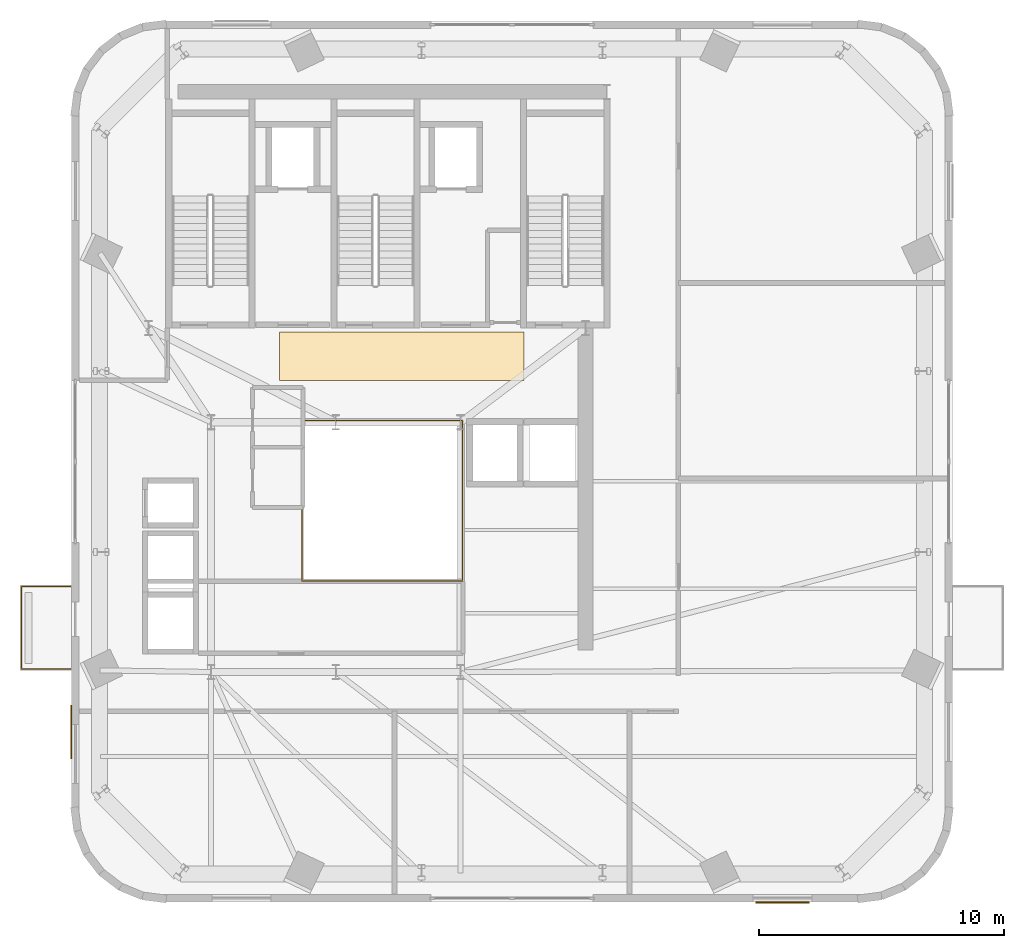
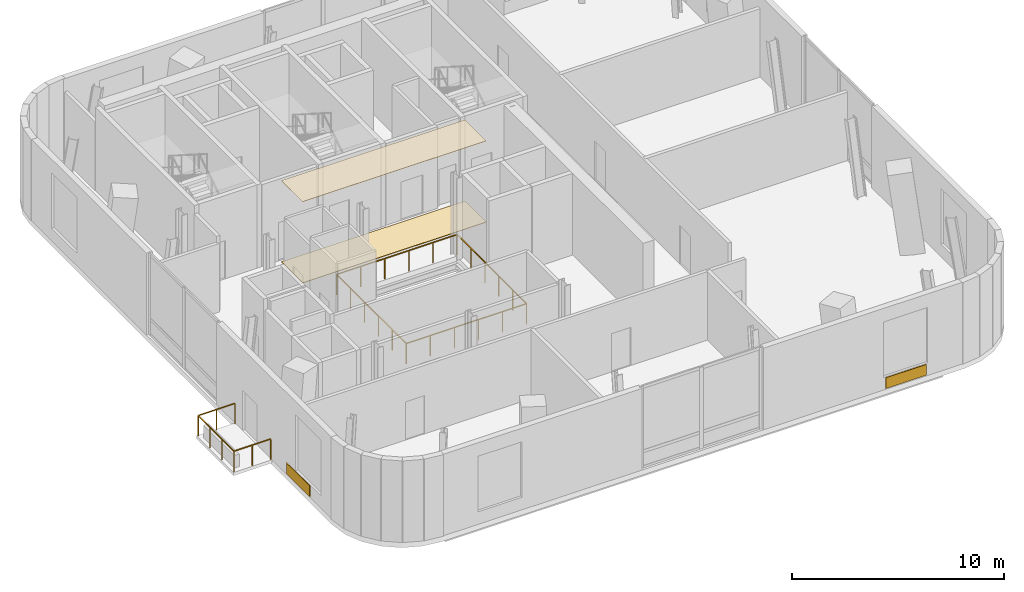
# One storey, part 9 of 11: 4 coverings, 2 railings.
"""IFC4 building model written with IfcOpenShell, lengths in metres."""

from ifc_helpers import new_model, si_unit, direction, frame, origin, origin_2d, place, context, subcontext, project, spatial, polyline, rectangle, outline, extrude, source, transform, mapped, material, layer, layer_set, type_object, element, save


model = new_model("IFC4")

# Units and contexts
model_context = context("Model", 3, precision=1e-05, world=origin(), true_north=direction((0.0, 1.0)))
body_context = subcontext(model_context, "Body", "Model", "MODEL_VIEW")
ifc_project = project(units=[si_unit("LENGTHUNIT", "METRE"), si_unit("AREAUNIT", "SQUARE_METRE"), si_unit("VOLUMEUNIT", "CUBIC_METRE"), si_unit("PLANEANGLEUNIT", "RADIAN"), si_unit("MASSUNIT", "GRAM", prefix="KILO")], contexts=[model_context])

# Site, building, storey
site_placement = place(None, origin())
site = spatial("IfcSite", under=ifc_project, at=site_placement, CompositionType="ELEMENT")
building_placement = place(site_placement, origin())
building = spatial("IfcBuilding", under=site, at=building_placement, Name="Vardaveli Station Tower", CompositionType="ELEMENT")
storey_placement = place(building_placement, frame((0.0, 0.0, 296.14990234375)))
storey = spatial("IfcBuildingStorey", under=building, at=storey_placement, Name="L75", CompositionType="ELEMENT", Elevation=296.14990234375)

# Coverings
ifc_material_1 = material(Name="Perforated acoustic mineral ceiling")
ifc_layer_1 = layer(ifc_material_1, 0.02001953125, Name="Perforated acoustic mineral ceiling")
ifc_layer_set_1 = layer_set([ifc_layer_1], Name="Perforated acoustic mineral ceiling")
covering_type_1 = type_object("IfcCoveringType", Name="COV-CEIL-AC20", PredefinedType="CEILING", material=ifc_layer_set_1)
covering_1_placement = place(storey_placement, frame((0.0, 0.0, 4.68505859375)))
element("IfcCovering", 1, at=covering_1_placement, inside=storey, type_object=covering_type_1, Name="CEIL-L75-1", PredefinedType="CEILING", context=body_context, shape_type="SweptSolid", body=[
    extrude(outline(polyline([(34.0, 28.5), (44.0, 28.5), (44.0, 30.5), (34.0, 30.5), (34.0, 28.5)])), origin(), (0.0, 0.0, 1.0), 0.02001953125),
])
ifc_material_2 = material(Name="Honed Caucasian basalt and travertine flooring", Category="masonry")
ifc_layer_2 = layer(ifc_material_2, 0.030029296875, Name="Honed Caucasian basalt and travertine flooring")
ifc_layer_set_2 = layer_set([ifc_layer_2], Name="Honed Caucasian basalt and travertine flooring")
covering_type_2 = type_object("IfcCoveringType", Name="COV-FLOOR-ST30", PredefinedType="FLOORING", material=ifc_layer_set_2)
covering_2_placement = place(storey_placement, origin())
element("IfcCovering", 2, at=covering_2_placement, inside=storey, type_object=covering_type_2, Name="FLR-L75-1", PredefinedType="FLOORING", context=body_context, shape_type="SweptSolid", body=[
    extrude(outline(polyline([(34.0, 28.5), (44.0, 28.5), (44.0, 30.5), (34.0, 30.5), (34.0, 28.5)])), origin(), (0.0, 0.0, 1.0), 0.030029296875),
])
ifc_material_3 = material(Name="Ventilated honed travertine stone cladding", Category="masonry")
ifc_layer_3 = layer(ifc_material_3, 0.044921875, Name="Ventilated honed travertine stone cladding")
ifc_layer_set_3 = layer_set([ifc_layer_3], Name="Ventilated honed travertine stone cladding")
covering_type_3 = type_object("IfcCoveringType", Name="COV-CLAD-TR45", PredefinedType="CLADDING", material=ifc_layer_set_3)
shared_shape_1 = source(origin(), body_context, "Body", "SweptSolid", [
    extrude(rectangle(XDim=2.199951171875, YDim=0.044921875, at=origin_2d()), origin(), (0.0, 0.0, 1.0), 0.6201171875),
])
for number, where, z_axis, x_axis, name in (
    (3, (54.551025390625, 7.185546875, 0.070068359375), (0.0, 0.0, 1.0), (1.0, 0.0, 0.0), "CLD-TR-L75-S"),
    (4, (25.485595703125, 14.14892578125, 0.070068359375), (0.0, 0.0, 1.0), (0.0, 1.0, 0.0), "CLD-TR-L75-W"),
):
    element("IfcCovering", number, at=place(storey_placement, frame(where, z_axis=z_axis, x_axis=x_axis)), inside=storey, type_object=covering_type_3, Name=name, PredefinedType="CLADDING", context=body_context, shape_type="MappedRepresentation", body=[
        mapped(shared_shape_1, transform((0.0, 0.0, 0.0), scale=1.0)),
    ])

# Railings
ifc_material_4 = material(Name="Laminated glass and stainless steel balustrade", Category="steel")
railing_type = type_object("IfcRailingType", Name="RL-BAL-1200", PredefinedType="BALUSTRADE", material=ifc_material_4)
shared_shape_2 = source(origin(), body_context, "Body", "SweptSolid", [
    extrude(rectangle(XDim=0.048095703125, YDim=0.048095703125, at=origin_2d()), frame((0.0, 0.0, 1.17578125), z_axis=(-1.0, 0.0, 0.0), x_axis=(0.0, -1.0, 0.0)), (0.0, 0.0, 1.0), 2.0),
    extrude(rectangle(XDim=0.048095703125, YDim=0.048095703125, at=origin_2d()), frame((-2.0, 0.0, 1.17578125), z_axis=(0.0, 1.0, 0.0), x_axis=(-1.0, 0.0, 0.0)), (0.0, 0.0, 1.0), 3.3798828125),
    extrude(rectangle(XDim=0.048095703125, YDim=0.048095703125, at=origin_2d()), frame((-2.0, 3.3798828125, 1.17578125), z_axis=(1.0, 0.0, 0.0), x_axis=(0.0, 1.0, 0.0)), (0.0, 0.0, 1.0), 2.0),
    extrude(rectangle(XDim=0.0419921875, YDim=0.0419921875, at=origin_2d()), origin(), (0.0, 0.0, 1.0), 1.15185546875),
    extrude(rectangle(XDim=0.0419921875, YDim=0.0419921875, at=origin_2d()), frame((-1.0, 0.0, 0.0)), (0.0, 0.0, 1.0), 1.15185546875),
    extrude(rectangle(XDim=0.0419921875, YDim=0.0419921875, at=origin_2d()), frame((-2.0, 0.0, 0.0)), (0.0, 0.0, 1.0), 1.15185546875),
    extrude(rectangle(XDim=0.0419921875, YDim=0.0419921875, at=origin_2d()), frame((-2.0, 1.126708984375, 0.0)), (0.0, 0.0, 1.0), 1.15185546875),
    extrude(rectangle(XDim=0.0419921875, YDim=0.0419921875, at=origin_2d()), frame((-2.0, 2.253173828125, 0.0)), (0.0, 0.0, 1.0), 1.15185546875),
    extrude(rectangle(XDim=0.0419921875, YDim=0.0419921875, at=origin_2d()), frame((-2.0, 3.3798828125, 0.0)), (0.0, 0.0, 1.0), 1.15185546875),
    extrude(rectangle(XDim=0.0419921875, YDim=0.0419921875, at=origin_2d()), frame((-1.0, 3.3798828125, 0.0)), (0.0, 0.0, 1.0), 1.15185546875),
    extrude(rectangle(XDim=0.0419921875, YDim=0.0419921875, at=origin_2d()), frame((0.0, 3.3798828125, 0.0)), (0.0, 0.0, 1.0), 1.15185546875),
])
railing_1_placement = place(storey_placement, frame((25.4599609375, 16.717529296875, 0.0)))
element("IfcRailing", 5, at=railing_1_placement, inside=storey, type_object=railing_type, Name="RL-LOG-L75-01", PredefinedType="BALUSTRADE", context=body_context, shape_type="MappedRepresentation", body=[
    mapped(shared_shape_2, transform((0.0, 0.0, 0.0), scale=1.0)),
])
shared_shape_3 = source(origin(), body_context, "Body", "SweptSolid", [
    extrude(rectangle(XDim=0.048095703125, YDim=0.048095703125, at=origin_2d()), frame((0.0, 0.0, 1.17578125), z_axis=(1.0, 0.0, 0.0), x_axis=(0.0, 1.0, 0.0)), (0.0, 0.0, 1.0), 6.56005859375),
    extrude(rectangle(XDim=0.048095703125, YDim=0.048095703125, at=origin_2d()), frame((6.56005859375, 0.0, 1.17578125), z_axis=(0.0, 1.0, 0.0), x_axis=(-1.0, 0.0, 0.0)), (0.0, 0.0, 1.0), 6.559814453125),
    extrude(rectangle(XDim=0.048095703125, YDim=0.048095703125, at=origin_2d()), frame((6.56005859375, 6.559814453125, 1.17578125), z_axis=(-1.0, 0.0, 0.0), x_axis=(0.0, -1.0, 0.0)), (0.0, 0.0, 1.0), 6.56005859375),
    extrude(rectangle(XDim=0.048095703125, YDim=0.048095703125, at=origin_2d()), frame((0.0, 6.559814453125, 1.17578125), z_axis=(0.0, -1.0, 0.0), x_axis=(1.0, 0.0, 0.0)), (0.0, 0.0, 1.0), 6.559814453125),
    extrude(rectangle(XDim=0.0419921875, YDim=0.0419921875, at=origin_2d()), origin(), (0.0, 0.0, 1.0), 1.15185546875),
    extrude(rectangle(XDim=0.0419921875, YDim=0.0419921875, at=origin_2d()), frame((1.31201171875, 0.0, 0.0)), (0.0, 0.0, 1.0), 1.15185546875),
    extrude(rectangle(XDim=0.0419921875, YDim=0.0419921875, at=origin_2d()), frame((2.6240234375, 0.0, 0.0)), (0.0, 0.0, 1.0), 1.15185546875),
    extrude(rectangle(XDim=0.0419921875, YDim=0.0419921875, at=origin_2d()), frame((3.93603515625, 0.0, 0.0)), (0.0, 0.0, 1.0), 1.15185546875),
    extrude(rectangle(XDim=0.0419921875, YDim=0.0419921875, at=origin_2d()), frame((5.248046875, 0.0, 0.0)), (0.0, 0.0, 1.0), 1.15185546875),
    extrude(rectangle(XDim=0.0419921875, YDim=0.0419921875, at=origin_2d()), frame((6.56005859375, 0.0, 0.0)), (0.0, 0.0, 1.0), 1.15185546875),
    extrude(rectangle(XDim=0.0419921875, YDim=0.0419921875, at=origin_2d()), frame((6.56005859375, 1.31201171875, 0.0)), (0.0, 0.0, 1.0), 1.15185546875),
    extrude(rectangle(XDim=0.0419921875, YDim=0.0419921875, at=origin_2d()), frame((6.56005859375, 2.6240234375, 0.0)), (0.0, 0.0, 1.0), 1.15185546875),
    extrude(rectangle(XDim=0.0419921875, YDim=0.0419921875, at=origin_2d()), frame((6.56005859375, 3.935791015625, 0.0)), (0.0, 0.0, 1.0), 1.15185546875),
    extrude(rectangle(XDim=0.0419921875, YDim=0.0419921875, at=origin_2d()), frame((6.56005859375, 5.247802734375, 0.0)), (0.0, 0.0, 1.0), 1.15185546875),
    extrude(rectangle(XDim=0.0419921875, YDim=0.0419921875, at=origin_2d()), frame((6.56005859375, 6.559814453125, 0.0)), (0.0, 0.0, 1.0), 1.15185546875),
    extrude(rectangle(XDim=0.0419921875, YDim=0.0419921875, at=origin_2d()), frame((5.248046875, 6.559814453125, 0.0)), (0.0, 0.0, 1.0), 1.15185546875),
    extrude(rectangle(XDim=0.0419921875, YDim=0.0419921875, at=origin_2d()), frame((3.93603515625, 6.559814453125, 0.0)), (0.0, 0.0, 1.0), 1.15185546875),
    extrude(rectangle(XDim=0.0419921875, YDim=0.0419921875, at=origin_2d()), frame((2.6240234375, 6.559814453125, 0.0)), (0.0, 0.0, 1.0), 1.15185546875),
    extrude(rectangle(XDim=0.0419921875, YDim=0.0419921875, at=origin_2d()), frame((1.31201171875, 6.559814453125, 0.0)), (0.0, 0.0, 1.0), 1.15185546875),
    extrude(rectangle(XDim=0.0419921875, YDim=0.0419921875, at=origin_2d()), frame((0.0, 6.559814453125, 0.0)), (0.0, 0.0, 1.0), 1.15185546875),
    extrude(rectangle(XDim=0.0419921875, YDim=0.0419921875, at=origin_2d()), frame((0.0, 5.247802734375, 0.0)), (0.0, 0.0, 1.0), 1.15185546875),
    extrude(rectangle(XDim=0.0419921875, YDim=0.0419921875, at=origin_2d()), frame((0.0, 3.935791015625, 0.0)), (0.0, 0.0, 1.0), 1.15185546875),
    extrude(rectangle(XDim=0.0419921875, YDim=0.0419921875, at=origin_2d()), frame((0.0, 2.6240234375, 0.0)), (0.0, 0.0, 1.0), 1.15185546875),
    extrude(rectangle(XDim=0.0419921875, YDim=0.0419921875, at=origin_2d()), frame((0.0, 1.31201171875, 0.0)), (0.0, 0.0, 1.0), 1.15185546875),
])
railing_2_placement = place(storey_placement, frame((34.919921875, 20.320068359375, 0.0)))
element("IfcRailing", 6, at=railing_2_placement, inside=storey, type_object=railing_type, Name="RL-ATR-L75", PredefinedType="BALUSTRADE", context=body_context, shape_type="MappedRepresentation", body=[
    mapped(shared_shape_3, transform((0.0, 0.0, 0.0), scale=1.0)),
])

save(model, "model.ifc")
